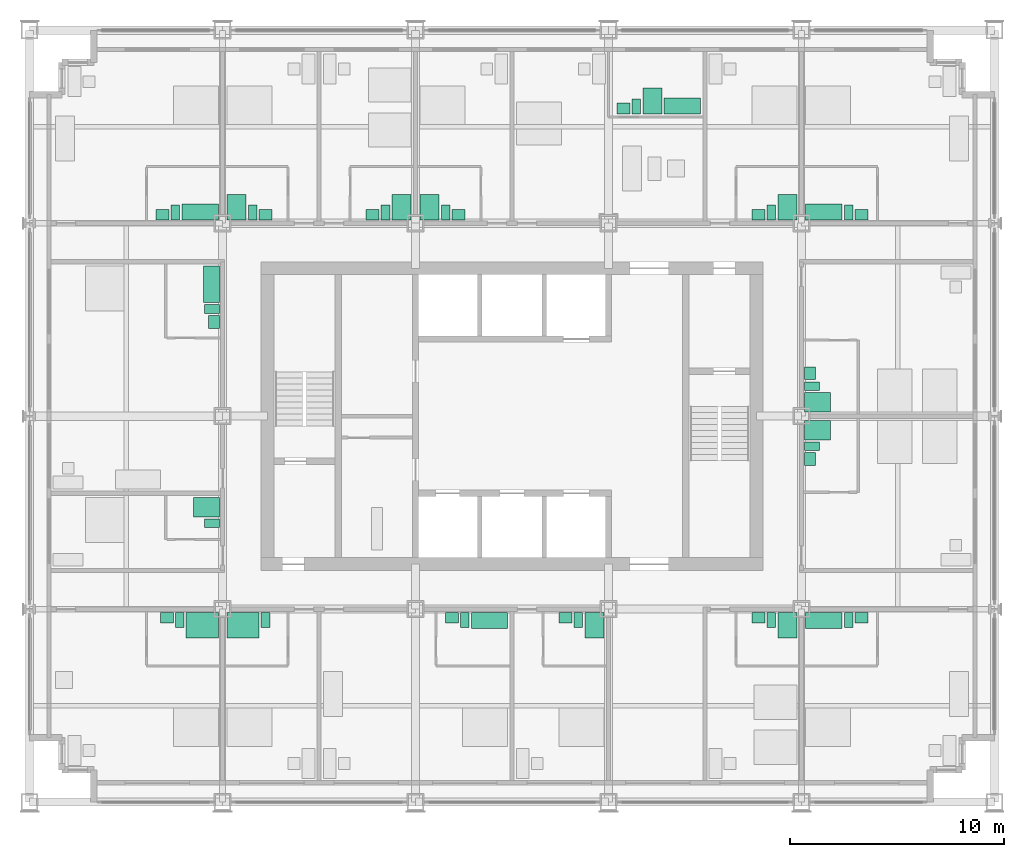
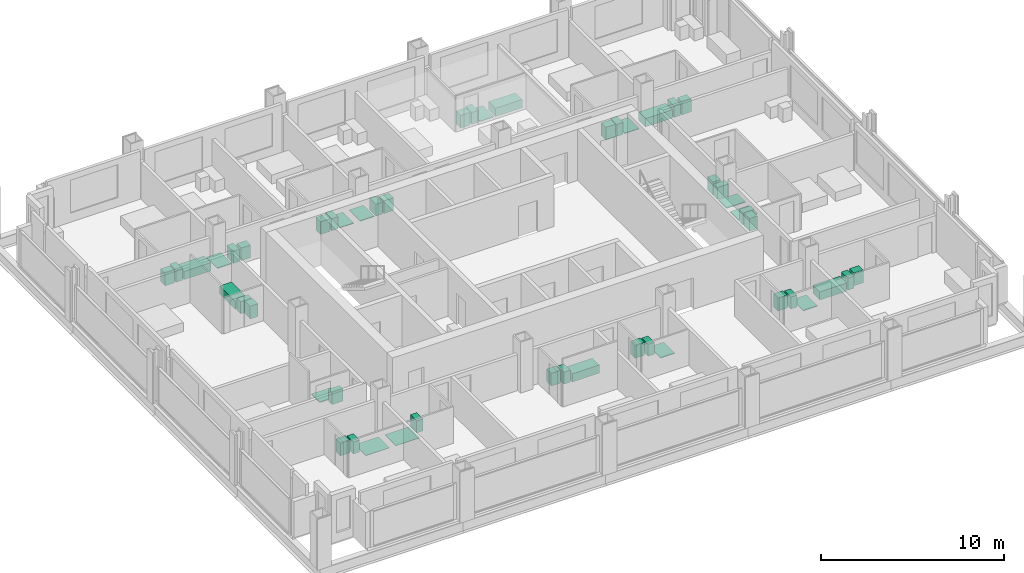
# One storey, part 15 of 16: 50 sanitary terminals.
"""IFC4 building model written with IfcOpenShell, lengths in metres."""

import ifcopenshell
import ifcopenshell.guid

model = None  # the IFC model being written
_history = None  # IfcOwnerHistory: only IFC2X3 demands one
_inside = {}  # id of a spatial element -> (the spatial element, [elements in it])
_under = {}  # id of a project, library or spatial element -> (it, [spatial elements below it])
_declared = {}  # id of a project -> (the project, [libraries it declares])
_typed = {}  # id of a type object -> (the type object, [elements of that type])
_made_of = {}  # id of a material, layer set ... -> (it, [elements and type objects made of it])


def new_model(schema):
    """Start an empty IFC model of exactly this schema.

    Asked for "IFC4X3", IfcOpenShell would pick the latest addendum, in which some entities
    have other attributes; the version numbers below select the first issue.
    IFC2X3 requires an IfcOwnerHistory on every rooted entity: one is made here for all.
    """
    global model, _history
    if schema == "IFC4X3":
        model = ifcopenshell.file(schema_version=(4, 3, 0, 0))
    else:
        model = ifcopenshell.file(schema=schema)
    _inside.clear()
    _under.clear()
    _declared.clear()
    _typed.clear()
    _made_of.clear()
    _history = None
    if model.schema == "IFC2X3":
        org = make("IfcOrganization", Name="unknown")
        user = make(
            "IfcPersonAndOrganization",
            ThePerson=make("IfcPerson", FamilyName="unknown"),
            TheOrganization=org,
        )
        app = make(
            "IfcApplication",
            ApplicationDeveloper=org,
            Version="unknown",
            ApplicationFullName="unknown",
            ApplicationIdentifier="unknown",
        )
        _history = make(
            "IfcOwnerHistory",
            OwningUser=user,
            OwningApplication=app,
            ChangeAction="ADDED",
            CreationDate=0,
        )
    return model


def make(cls, **values):
    """One entity of the class cls with the attributes given. An attribute that is None is left unset."""
    return model.create_entity(
        cls, **{name: value for name, value in values.items() if value is not None}
    )


def rooted(cls, **values):
    """An entity with a GlobalId (a new one), such as an element, a storey or a relation."""
    return make(cls, GlobalId=ifcopenshell.guid.new(), OwnerHistory=_history, **values)


def si_unit(unit_type, name, prefix=None):
    """IfcSIUnit, for example si_unit("LENGTHUNIT", "METRE", prefix="MILLI")."""
    return make("IfcSIUnit", UnitType=unit_type, Prefix=prefix, Name=name)


def assignment(units):
    """IfcUnitAssignment: the units of a project."""
    return None if units is None else make("IfcUnitAssignment", Units=units)


def point(xyz):
    """IfcCartesianPoint."""
    return None if xyz is None else make("IfcCartesianPoint", Coordinates=xyz)


def direction(xyz):
    """IfcDirection."""
    return None if xyz is None else make("IfcDirection", DirectionRatios=xyz)


def frame(location, z_axis=None, x_axis=None):
    """IfcAxis2Placement3D, a coordinate frame: its origin and axes. An axis left out is left unset."""
    return make(
        "IfcAxis2Placement3D",
        Location=point(location),
        Axis=direction(z_axis),
        RefDirection=direction(x_axis),
    )


def frame_2d(location, x_axis=None):
    """IfcAxis2Placement2D, a coordinate frame in the plane: its origin and x axis."""
    return make(
        "IfcAxis2Placement2D", Location=point(location), RefDirection=direction(x_axis)
    )


def origin():
    """The frame at (0, 0, 0) with its axes left unset."""
    return frame((0.0, 0.0, 0.0))


def origin_2d():
    """The frame at (0, 0) in the plane with its x axis left unset."""
    return frame_2d((0.0, 0.0))


def place(relative_to, where):
    """IfcLocalPlacement: puts the frame where relative to a parent placement (None: the world)."""
    return make(
        "IfcLocalPlacement", PlacementRelTo=relative_to, RelativePlacement=where
    )


def context(
    kind, dimensions, precision=None, world=None, true_north=None, identifier=None
):
    """IfcGeometricRepresentationContext, for example the 3D "Model" context."""
    return make(
        "IfcGeometricRepresentationContext",
        ContextIdentifier=identifier,
        ContextType=kind,
        CoordinateSpaceDimension=dimensions,
        Precision=precision,
        WorldCoordinateSystem=world,
        TrueNorth=true_north,
    )


def subcontext(parent, identifier, kind, view, scale=None):
    """IfcGeometricRepresentationSubContext, for example "Body" below "Model"."""
    return make(
        "IfcGeometricRepresentationSubContext",
        ContextIdentifier=identifier,
        ContextType=kind,
        ParentContext=parent,
        TargetScale=scale,
        TargetView=view,
    )


def project(units=None, contexts=None):
    """IfcProject with its units and contexts."""
    return rooted(
        "IfcProject",
        Name="project",
        RepresentationContexts=contexts,
        UnitsInContext=assignment(units),
    )


def spatial(cls, under=None, at=None, **own):
    """A site, building, storey or space (cls), placed at a placement, below another one or the project."""
    s = rooted(cls, ObjectPlacement=at, **own)
    if under is not None:
        _under.setdefault(under.id(), (under, []))[1].append(s)
    return s


def profile(cls, at=None, kind="AREA", **sizes):
    """A parametric profile (cls). Its sizes go by their IFC names, for example OverallWidth=200.0."""
    return make(cls, ProfileType=kind, Position=at, **sizes)


def rectangle(**sizes):
    """IfcRectangleProfileDef."""
    return profile("IfcRectangleProfileDef", **sizes)


def extrude(swept, where, along, depth):
    """IfcExtrudedAreaSolid: the profile swept, set in the frame where, extruded along a direction by depth."""
    return make(
        "IfcExtrudedAreaSolid",
        SweptArea=swept,
        Position=where,
        ExtrudedDirection=direction(along),
        Depth=depth,
    )


def shape(context_of_items, identifier, shape_type, items):
    """IfcShapeRepresentation: the items that make up one representation, for example the "Body"."""
    return make(
        "IfcShapeRepresentation",
        ContextOfItems=context_of_items,
        RepresentationIdentifier=identifier,
        RepresentationType=shape_type,
        Items=items,
    )


def made_of(thing, what):
    """Note that an element or type object is made of a material, layer set ...; save() writes the relation."""
    if what is not None:
        _made_of.setdefault(what.id(), (what, []))[1].append(thing)
    return thing


def element(
    cls,
    number,
    at=None,
    inside=None,
    cuts=None,
    type_object=None,
    material=None,
    context=None,
    identifier="Body",
    shape_type=None,
    held_by="IfcProductDefinitionShape",
    body=None,
    shapes=None,
    **own,
):
    """One element of the class cls, such as IfcWall. Its Tag is "e" and its number.

    at: its placement. inside: the storey or other place that contains it. cuts: it is an
    opening in that element (IfcRelVoidsElement). A single representation is given by context,
    identifier, shape_type and body (its items); several are given by shapes. held_by: the class
    of the entity that holds the representations. save() writes the other relations.
    """
    e = rooted(cls, Tag="e%d" % number, ObjectPlacement=at, **own)
    if body is not None:
        shapes = [shape(context, identifier, shape_type, body)]
    if shapes is not None:
        e.Representation = make(held_by, Representations=shapes)
    if inside is not None:
        _inside.setdefault(inside.id(), (inside, []))[1].append(e)
    if cuts is not None:
        rooted(
            "IfcRelVoidsElement", RelatingBuildingElement=cuts, RelatedOpeningElement=e
        )
    if type_object is not None:
        _typed.setdefault(type_object.id(), (type_object, []))[1].append(e)
    return made_of(e, material)


def aggregate(whole, parts):
    """IfcRelAggregates: a whole, such as a stair, and the parts it consists of."""
    return rooted("IfcRelAggregates", RelatingObject=whole, RelatedObjects=parts)


def save(model, path):
    """Write the relations noted so far, then the file.

    IfcRelAggregates (storeys below a building ...), IfcRelContainedInSpatialStructure (elements
    in a storey), IfcRelDefinesByType, IfcRelAssociatesMaterial and IfcRelDeclares: one each for
    every whole, place, type object, material and project.
    """
    for whole, parts in _under.values():
        aggregate(whole, parts)
    for where, things in _inside.values():
        rooted(
            "IfcRelContainedInSpatialStructure",
            RelatedElements=things,
            RelatingStructure=where,
        )
    for kind, things in _typed.values():
        rooted("IfcRelDefinesByType", RelatedObjects=things, RelatingType=kind)
    for what, things in _made_of.values():
        rooted("IfcRelAssociatesMaterial", RelatedObjects=things, RelatingMaterial=what)
    for by, libraries in _declared.values():
        rooted("IfcRelDeclares", RelatingContext=by, RelatedDefinitions=libraries)
    model.write(path)


model = new_model("IFC4")

# Units and contexts
model_context = context("Model", 3, precision=1e-05, world=origin(), true_north=direction((0.0, 1.0)))
body_context = subcontext(model_context, "Body", "Model", "MODEL_VIEW")
ifc_project = project(units=[si_unit("LENGTHUNIT", "METRE"), si_unit("AREAUNIT", "SQUARE_METRE"), si_unit("VOLUMEUNIT", "CUBIC_METRE"), si_unit("PLANEANGLEUNIT", "RADIAN"), si_unit("MASSUNIT", "GRAM", prefix="KILO")], contexts=[model_context])

# Site, building, storey
site_placement = place(None, origin())
site = spatial("IfcSite", under=ifc_project, at=site_placement, CompositionType="ELEMENT")
building_placement = place(site_placement, origin())
building = spatial("IfcBuilding", under=site, at=building_placement, Name="Loomwork Tower", CompositionType="ELEMENT")
storey_placement = place(building_placement, frame((0.0, 0.0, 101.0)))
storey = spatial("IfcBuildingStorey", under=building, at=storey_placement, Name="L26", CompositionType="ELEMENT", Elevation=101.0)

# Sanitary terminals
sanitary_terminal_1_placement = place(storey_placement, frame((8.050048828125, 8.25, 0.0), z_axis=(0.0, 0.0, 1.0), x_axis=(1.0, 0.0, 0.0)))
element("IfcSanitaryTerminal", 1, at=sanitary_terminal_1_placement, inside=storey, Name="Roll-in shower floor L26", PredefinedType="SHOWER", context=body_context, shape_type="SweptSolid", body=[
    extrude(rectangle(XDim=1.5, YDim=1.199951171875, at=origin_2d()), origin(), (0.0, 0.0, 1.0), 0.030029296875),
])
sanitary_terminal_2_placement = place(storey_placement, frame((7.0, 8.5, 0.0), z_axis=(0.0, 0.0, 1.0), x_axis=(1.0, 0.0, 0.0)))
element("IfcSanitaryTerminal", 2, at=sanitary_terminal_2_placement, inside=storey, Name="WC L26", PredefinedType="TOILETPAN", context=body_context, shape_type="SweptSolid", body=[
    extrude(rectangle(XDim=0.39990234375, YDim=0.699951171875, at=origin_2d()), origin(), (0.0, 0.0, 1.0), 0.800048828125),
])
sanitary_terminal_3_placement = place(storey_placement, frame((6.39990234375, 8.60009765625, 0.0), z_axis=(0.0, 0.0, 1.0), x_axis=(1.0, 0.0, 0.0)))
element("IfcSanitaryTerminal", 3, at=sanitary_terminal_3_placement, inside=storey, Name="Basin vanity L26", PredefinedType="WASHHANDBASIN", context=body_context, shape_type="SweptSolid", body=[
    extrude(rectangle(XDim=0.60009765625, YDim=0.5, at=origin_2d()), origin(), (0.0, 0.0, 1.0), 0.85009765625),
])
sanitary_terminal_4_placement = place(storey_placement, frame((9.949951171875, 8.25, 0.0), z_axis=(0.0, 0.0, 1.0), x_axis=(1.0, 0.0, 0.0)))
element("IfcSanitaryTerminal", 4, at=sanitary_terminal_4_placement, inside=storey, Name="Roll-in shower floor L26", PredefinedType="SHOWER", context=body_context, shape_type="SweptSolid", body=[
    extrude(rectangle(XDim=1.5, YDim=1.199951171875, at=origin_2d()), origin(), (0.0, 0.0, 1.0), 0.030029296875),
])
sanitary_terminal_5_placement = place(storey_placement, frame((11.0, 8.5, 0.0), z_axis=(0.0, 0.0, 1.0), x_axis=(1.0, 0.0, 0.0)))
element("IfcSanitaryTerminal", 5, at=sanitary_terminal_5_placement, inside=storey, Name="WC L26", PredefinedType="TOILETPAN", context=body_context, shape_type="SweptSolid", body=[
    extrude(rectangle(XDim=0.39990234375, YDim=0.699951171875, at=origin_2d()), origin(), (0.0, 0.0, 1.0), 0.800048828125),
])
sanitary_terminal_6_placement = place(storey_placement, frame((21.449951171875, 8.47509765625, 0.0), z_axis=(0.0, 0.0, 1.0), x_axis=(1.0, 0.0, 0.0)))
element("IfcSanitaryTerminal", 6, at=sanitary_terminal_6_placement, inside=storey, Name="Bath L26", PredefinedType="BATH", context=body_context, shape_type="SweptSolid", body=[
    extrude(rectangle(XDim=1.699951171875, YDim=0.75, at=origin_2d()), origin(), (0.0, 0.0, 1.0), 0.550048828125),
])
sanitary_terminal_7_placement = place(storey_placement, frame((20.300048828125, 8.5, 0.0), z_axis=(0.0, 0.0, 1.0), x_axis=(1.0, 0.0, 0.0)))
element("IfcSanitaryTerminal", 7, at=sanitary_terminal_7_placement, inside=storey, Name="WC L26", PredefinedType="TOILETPAN", context=body_context, shape_type="SweptSolid", body=[
    extrude(rectangle(XDim=0.39990234375, YDim=0.699951171875, at=origin_2d()), origin(), (0.0, 0.0, 1.0), 0.800048828125),
])
sanitary_terminal_8_placement = place(storey_placement, frame((19.699951171875, 8.60009765625, 0.0), z_axis=(0.0, 0.0, 1.0), x_axis=(1.0, 0.0, 0.0)))
element("IfcSanitaryTerminal", 8, at=sanitary_terminal_8_placement, inside=storey, Name="Basin vanity L26", PredefinedType="WASHHANDBASIN", context=body_context, shape_type="SweptSolid", body=[
    extrude(rectangle(XDim=0.60009765625, YDim=0.5, at=origin_2d()), origin(), (0.0, 0.0, 1.0), 0.85009765625),
])
sanitary_terminal_9_placement = place(storey_placement, frame((26.35009765625, 8.25, 0.0), z_axis=(0.0, 0.0, 1.0), x_axis=(1.0, 0.0, 0.0)))
element("IfcSanitaryTerminal", 9, at=sanitary_terminal_9_placement, inside=storey, Name="Shower tray L26", PredefinedType="SHOWER", context=body_context, shape_type="SweptSolid", body=[
    extrude(rectangle(XDim=0.89990234375, YDim=1.199951171875, at=origin_2d()), origin(), (0.0, 0.0, 1.0), 0.050048828125),
])
sanitary_terminal_10_placement = place(storey_placement, frame((25.60009765625, 8.5, 0.0), z_axis=(0.0, 0.0, 1.0), x_axis=(1.0, 0.0, 0.0)))
element("IfcSanitaryTerminal", 10, at=sanitary_terminal_10_placement, inside=storey, Name="WC L26", PredefinedType="TOILETPAN", context=body_context, shape_type="SweptSolid", body=[
    extrude(rectangle(XDim=0.39990234375, YDim=0.699951171875, at=origin_2d()), origin(), (0.0, 0.0, 1.0), 0.800048828125),
])
sanitary_terminal_11_placement = place(storey_placement, frame((25.0, 8.60009765625, 0.0), z_axis=(0.0, 0.0, 1.0), x_axis=(1.0, 0.0, 0.0)))
element("IfcSanitaryTerminal", 11, at=sanitary_terminal_11_placement, inside=storey, Name="Basin vanity L26", PredefinedType="WASHHANDBASIN", context=body_context, shape_type="SweptSolid", body=[
    extrude(rectangle(XDim=0.60009765625, YDim=0.5, at=origin_2d()), origin(), (0.0, 0.0, 1.0), 0.85009765625),
])
sanitary_terminal_12_placement = place(storey_placement, frame((35.35009765625, 8.25, 0.0), z_axis=(0.0, 0.0, 1.0), x_axis=(1.0, 0.0, 0.0)))
element("IfcSanitaryTerminal", 12, at=sanitary_terminal_12_placement, inside=storey, Name="Shower tray L26", PredefinedType="SHOWER", context=body_context, shape_type="SweptSolid", body=[
    extrude(rectangle(XDim=0.89990234375, YDim=1.199951171875, at=origin_2d()), origin(), (0.0, 0.0, 1.0), 0.050048828125),
])
sanitary_terminal_13_placement = place(storey_placement, frame((34.60009765625, 8.5, 0.0), z_axis=(0.0, 0.0, 1.0), x_axis=(1.0, 0.0, 0.0)))
element("IfcSanitaryTerminal", 13, at=sanitary_terminal_13_placement, inside=storey, Name="WC L26", PredefinedType="TOILETPAN", context=body_context, shape_type="SweptSolid", body=[
    extrude(rectangle(XDim=0.39990234375, YDim=0.699951171875, at=origin_2d()), origin(), (0.0, 0.0, 1.0), 0.800048828125),
])
sanitary_terminal_14_placement = place(storey_placement, frame((34.0, 8.60009765625, 0.0), z_axis=(0.0, 0.0, 1.0), x_axis=(1.0, 0.0, 0.0)))
element("IfcSanitaryTerminal", 14, at=sanitary_terminal_14_placement, inside=storey, Name="Basin vanity L26", PredefinedType="WASHHANDBASIN", context=body_context, shape_type="SweptSolid", body=[
    extrude(rectangle(XDim=0.60009765625, YDim=0.5, at=origin_2d()), origin(), (0.0, 0.0, 1.0), 0.85009765625),
])
sanitary_terminal_15_placement = place(storey_placement, frame((37.050048828125, 8.47509765625, 0.0), z_axis=(0.0, 0.0, 1.0), x_axis=(1.0, 0.0, 0.0)))
element("IfcSanitaryTerminal", 15, at=sanitary_terminal_15_placement, inside=storey, Name="Bath L26", PredefinedType="BATH", context=body_context, shape_type="SweptSolid", body=[
    extrude(rectangle(XDim=1.699951171875, YDim=0.75, at=origin_2d()), origin(), (0.0, 0.0, 1.0), 0.550048828125),
])
sanitary_terminal_16_placement = place(storey_placement, frame((38.199951171875, 8.5, 0.0), z_axis=(0.0, 0.0, 1.0), x_axis=(1.0, 0.0, 0.0)))
element("IfcSanitaryTerminal", 16, at=sanitary_terminal_16_placement, inside=storey, Name="WC L26", PredefinedType="TOILETPAN", context=body_context, shape_type="SweptSolid", body=[
    extrude(rectangle(XDim=0.39990234375, YDim=0.699951171875, at=origin_2d()), origin(), (0.0, 0.0, 1.0), 0.800048828125),
])
sanitary_terminal_17_placement = place(storey_placement, frame((38.800048828125, 8.60009765625, 0.0), z_axis=(0.0, 0.0, 1.0), x_axis=(1.0, 0.0, 0.0)))
element("IfcSanitaryTerminal", 17, at=sanitary_terminal_17_placement, inside=storey, Name="Basin vanity L26", PredefinedType="WASHHANDBASIN", context=body_context, shape_type="SweptSolid", body=[
    extrude(rectangle(XDim=0.60009765625, YDim=0.5, at=origin_2d()), origin(), (0.0, 0.0, 1.0), 0.85009765625),
])
sanitary_terminal_18_placement = place(storey_placement, frame((7.949951171875, 27.52490234375, 0.0), z_axis=(0.0, 0.0, 1.0), x_axis=(1.0, 0.0, 0.0)))
element("IfcSanitaryTerminal", 18, at=sanitary_terminal_18_placement, inside=storey, Name="Bath L26", PredefinedType="BATH", context=body_context, shape_type="SweptSolid", body=[
    extrude(rectangle(XDim=1.699951171875, YDim=0.75, at=origin_2d()), origin(), (0.0, 0.0, 1.0), 0.550048828125),
])
sanitary_terminal_19_placement = place(storey_placement, frame((6.800048828125, 27.5, 0.0), z_axis=(0.0, 0.0, 1.0), x_axis=(1.0, 0.0, 0.0)))
element("IfcSanitaryTerminal", 19, at=sanitary_terminal_19_placement, inside=storey, Name="WC L26", PredefinedType="TOILETPAN", context=body_context, shape_type="SweptSolid", body=[
    extrude(rectangle(XDim=0.39990234375, YDim=0.699951171875, at=origin_2d()), origin(), (0.0, 0.0, 1.0), 0.800048828125),
])
sanitary_terminal_20_placement = place(storey_placement, frame((6.199951171875, 27.39990234375, 0.0), z_axis=(0.0, 0.0, 1.0), x_axis=(1.0, 0.0, 0.0)))
element("IfcSanitaryTerminal", 20, at=sanitary_terminal_20_placement, inside=storey, Name="Basin vanity L26", PredefinedType="WASHHANDBASIN", context=body_context, shape_type="SweptSolid", body=[
    extrude(rectangle(XDim=0.60009765625, YDim=0.5, at=origin_2d()), origin(), (0.0, 0.0, 1.0), 0.85009765625),
])
sanitary_terminal_21_placement = place(storey_placement, frame((9.64990234375, 27.75, 0.0), z_axis=(0.0, 0.0, 1.0), x_axis=(1.0, 0.0, 0.0)))
element("IfcSanitaryTerminal", 21, at=sanitary_terminal_21_placement, inside=storey, Name="Shower tray L26", PredefinedType="SHOWER", context=body_context, shape_type="SweptSolid", body=[
    extrude(rectangle(XDim=0.89990234375, YDim=1.199951171875, at=origin_2d()), origin(), (0.0, 0.0, 1.0), 0.050048828125),
])
sanitary_terminal_22_placement = place(storey_placement, frame((10.39990234375, 27.5, 0.0), z_axis=(0.0, 0.0, 1.0), x_axis=(1.0, 0.0, 0.0)))
element("IfcSanitaryTerminal", 22, at=sanitary_terminal_22_placement, inside=storey, Name="WC L26", PredefinedType="TOILETPAN", context=body_context, shape_type="SweptSolid", body=[
    extrude(rectangle(XDim=0.39990234375, YDim=0.699951171875, at=origin_2d()), origin(), (0.0, 0.0, 1.0), 0.800048828125),
])
sanitary_terminal_23_placement = place(storey_placement, frame((11.0, 27.39990234375, 0.0), z_axis=(0.0, 0.0, 1.0), x_axis=(1.0, 0.0, 0.0)))
element("IfcSanitaryTerminal", 23, at=sanitary_terminal_23_placement, inside=storey, Name="Basin vanity L26", PredefinedType="WASHHANDBASIN", context=body_context, shape_type="SweptSolid", body=[
    extrude(rectangle(XDim=0.60009765625, YDim=0.5, at=origin_2d()), origin(), (0.0, 0.0, 1.0), 0.85009765625),
])
sanitary_terminal_24_placement = place(storey_placement, frame((17.35009765625, 27.75, 0.0), z_axis=(0.0, 0.0, 1.0), x_axis=(1.0, 0.0, 0.0)))
element("IfcSanitaryTerminal", 24, at=sanitary_terminal_24_placement, inside=storey, Name="Shower tray L26", PredefinedType="SHOWER", context=body_context, shape_type="SweptSolid", body=[
    extrude(rectangle(XDim=0.89990234375, YDim=1.199951171875, at=origin_2d()), origin(), (0.0, 0.0, 1.0), 0.050048828125),
])
sanitary_terminal_25_placement = place(storey_placement, frame((16.60009765625, 27.5, 0.0), z_axis=(0.0, 0.0, 1.0), x_axis=(1.0, 0.0, 0.0)))
element("IfcSanitaryTerminal", 25, at=sanitary_terminal_25_placement, inside=storey, Name="WC L26", PredefinedType="TOILETPAN", context=body_context, shape_type="SweptSolid", body=[
    extrude(rectangle(XDim=0.39990234375, YDim=0.699951171875, at=origin_2d()), origin(), (0.0, 0.0, 1.0), 0.800048828125),
])
sanitary_terminal_26_placement = place(storey_placement, frame((16.0, 27.39990234375, 0.0), z_axis=(0.0, 0.0, 1.0), x_axis=(1.0, 0.0, 0.0)))
element("IfcSanitaryTerminal", 26, at=sanitary_terminal_26_placement, inside=storey, Name="Basin vanity L26", PredefinedType="WASHHANDBASIN", context=body_context, shape_type="SweptSolid", body=[
    extrude(rectangle(XDim=0.60009765625, YDim=0.5, at=origin_2d()), origin(), (0.0, 0.0, 1.0), 0.85009765625),
])
sanitary_terminal_27_placement = place(storey_placement, frame((18.64990234375, 27.75, 0.0), z_axis=(0.0, 0.0, 1.0), x_axis=(1.0, 0.0, 0.0)))
element("IfcSanitaryTerminal", 27, at=sanitary_terminal_27_placement, inside=storey, Name="Shower tray L26", PredefinedType="SHOWER", context=body_context, shape_type="SweptSolid", body=[
    extrude(rectangle(XDim=0.89990234375, YDim=1.199951171875, at=origin_2d()), origin(), (0.0, 0.0, 1.0), 0.050048828125),
])
sanitary_terminal_28_placement = place(storey_placement, frame((19.39990234375, 27.5, 0.0), z_axis=(0.0, 0.0, 1.0), x_axis=(1.0, 0.0, 0.0)))
element("IfcSanitaryTerminal", 28, at=sanitary_terminal_28_placement, inside=storey, Name="WC L26", PredefinedType="TOILETPAN", context=body_context, shape_type="SweptSolid", body=[
    extrude(rectangle(XDim=0.39990234375, YDim=0.699951171875, at=origin_2d()), origin(), (0.0, 0.0, 1.0), 0.800048828125),
])
sanitary_terminal_29_placement = place(storey_placement, frame((20.0, 27.39990234375, 0.0), z_axis=(0.0, 0.0, 1.0), x_axis=(1.0, 0.0, 0.0)))
element("IfcSanitaryTerminal", 29, at=sanitary_terminal_29_placement, inside=storey, Name="Basin vanity L26", PredefinedType="WASHHANDBASIN", context=body_context, shape_type="SweptSolid", body=[
    extrude(rectangle(XDim=0.60009765625, YDim=0.5, at=origin_2d()), origin(), (0.0, 0.0, 1.0), 0.85009765625),
])
sanitary_terminal_30_placement = place(storey_placement, frame((30.449951171875, 32.47509765625, 0.0), z_axis=(0.0, 0.0, 1.0), x_axis=(1.0, 0.0, 0.0)))
element("IfcSanitaryTerminal", 30, at=sanitary_terminal_30_placement, inside=storey, Name="Bath L26", PredefinedType="BATH", context=body_context, shape_type="SweptSolid", body=[
    extrude(rectangle(XDim=1.699951171875, YDim=0.75, at=origin_2d()), origin(), (0.0, 0.0, 1.0), 0.550048828125),
])
sanitary_terminal_31_placement = place(storey_placement, frame((29.050048828125, 32.699951171875, 0.0), z_axis=(0.0, 0.0, 1.0), x_axis=(1.0, 0.0, 0.0)))
element("IfcSanitaryTerminal", 31, at=sanitary_terminal_31_placement, inside=storey, Name="Shower tray L26", PredefinedType="SHOWER", context=body_context, shape_type="SweptSolid", body=[
    extrude(rectangle(XDim=0.89990234375, YDim=1.199951171875, at=origin_2d()), origin(), (0.0, 0.0, 1.0), 0.050048828125),
])
sanitary_terminal_32_placement = place(storey_placement, frame((28.300048828125, 32.449951171875, 0.0), z_axis=(0.0, 0.0, 1.0), x_axis=(1.0, 0.0, 0.0)))
element("IfcSanitaryTerminal", 32, at=sanitary_terminal_32_placement, inside=storey, Name="WC L26", PredefinedType="TOILETPAN", context=body_context, shape_type="SweptSolid", body=[
    extrude(rectangle(XDim=0.39990234375, YDim=0.699951171875, at=origin_2d()), origin(), (0.0, 0.0, 1.0), 0.800048828125),
])
sanitary_terminal_33_placement = place(storey_placement, frame((27.699951171875, 32.35009765625, 0.0), z_axis=(0.0, 0.0, 1.0), x_axis=(1.0, 0.0, 0.0)))
element("IfcSanitaryTerminal", 33, at=sanitary_terminal_33_placement, inside=storey, Name="Basin vanity L26", PredefinedType="WASHHANDBASIN", context=body_context, shape_type="SweptSolid", body=[
    extrude(rectangle(XDim=0.60009765625, YDim=0.5, at=origin_2d()), origin(), (0.0, 0.0, 1.0), 0.85009765625),
])
sanitary_terminal_34_placement = place(storey_placement, frame((35.35009765625, 27.75, 0.0), z_axis=(0.0, 0.0, 1.0), x_axis=(1.0, 0.0, 0.0)))
element("IfcSanitaryTerminal", 34, at=sanitary_terminal_34_placement, inside=storey, Name="Shower tray L26", PredefinedType="SHOWER", context=body_context, shape_type="SweptSolid", body=[
    extrude(rectangle(XDim=0.89990234375, YDim=1.199951171875, at=origin_2d()), origin(), (0.0, 0.0, 1.0), 0.050048828125),
])
sanitary_terminal_35_placement = place(storey_placement, frame((34.60009765625, 27.5, 0.0), z_axis=(0.0, 0.0, 1.0), x_axis=(1.0, 0.0, 0.0)))
element("IfcSanitaryTerminal", 35, at=sanitary_terminal_35_placement, inside=storey, Name="WC L26", PredefinedType="TOILETPAN", context=body_context, shape_type="SweptSolid", body=[
    extrude(rectangle(XDim=0.39990234375, YDim=0.699951171875, at=origin_2d()), origin(), (0.0, 0.0, 1.0), 0.800048828125),
])
sanitary_terminal_36_placement = place(storey_placement, frame((34.0, 27.39990234375, 0.0), z_axis=(0.0, 0.0, 1.0), x_axis=(1.0, 0.0, 0.0)))
element("IfcSanitaryTerminal", 36, at=sanitary_terminal_36_placement, inside=storey, Name="Basin vanity L26", PredefinedType="WASHHANDBASIN", context=body_context, shape_type="SweptSolid", body=[
    extrude(rectangle(XDim=0.60009765625, YDim=0.5, at=origin_2d()), origin(), (0.0, 0.0, 1.0), 0.85009765625),
])
sanitary_terminal_37_placement = place(storey_placement, frame((37.050048828125, 27.52490234375, 0.0), z_axis=(0.0, 0.0, 1.0), x_axis=(1.0, 0.0, 0.0)))
element("IfcSanitaryTerminal", 37, at=sanitary_terminal_37_placement, inside=storey, Name="Bath L26", PredefinedType="BATH", context=body_context, shape_type="SweptSolid", body=[
    extrude(rectangle(XDim=1.699951171875, YDim=0.75, at=origin_2d()), origin(), (0.0, 0.0, 1.0), 0.550048828125),
])
sanitary_terminal_38_placement = place(storey_placement, frame((38.199951171875, 27.5, 0.0), z_axis=(0.0, 0.0, 1.0), x_axis=(1.0, 0.0, 0.0)))
element("IfcSanitaryTerminal", 38, at=sanitary_terminal_38_placement, inside=storey, Name="WC L26", PredefinedType="TOILETPAN", context=body_context, shape_type="SweptSolid", body=[
    extrude(rectangle(XDim=0.39990234375, YDim=0.699951171875, at=origin_2d()), origin(), (0.0, 0.0, 1.0), 0.800048828125),
])
sanitary_terminal_39_placement = place(storey_placement, frame((38.800048828125, 27.39990234375, 0.0), z_axis=(0.0, 0.0, 1.0), x_axis=(1.0, 0.0, 0.0)))
element("IfcSanitaryTerminal", 39, at=sanitary_terminal_39_placement, inside=storey, Name="Basin vanity L26", PredefinedType="WASHHANDBASIN", context=body_context, shape_type="SweptSolid", body=[
    extrude(rectangle(XDim=0.60009765625, YDim=0.5, at=origin_2d()), origin(), (0.0, 0.0, 1.0), 0.85009765625),
])
sanitary_terminal_40_placement = place(storey_placement, frame((8.25, 13.75, 0.0), z_axis=(0.0, 0.0, 1.0), x_axis=(1.0, 0.0, 0.0)))
element("IfcSanitaryTerminal", 40, at=sanitary_terminal_40_placement, inside=storey, Name="Shower tray L26", PredefinedType="SHOWER", context=body_context, shape_type="SweptSolid", body=[
    extrude(rectangle(XDim=1.199951171875, YDim=0.89990234375, at=origin_2d()), origin(), (0.0, 0.0, 1.0), 0.050048828125),
])
sanitary_terminal_41_placement = place(storey_placement, frame((8.5, 13.0, 0.0), z_axis=(0.0, 0.0, 1.0), x_axis=(1.0, 0.0, 0.0)))
element("IfcSanitaryTerminal", 41, at=sanitary_terminal_41_placement, inside=storey, Name="WC L26", PredefinedType="TOILETPAN", context=body_context, shape_type="SweptSolid", body=[
    extrude(rectangle(XDim=0.699951171875, YDim=0.39990234375, at=origin_2d()), origin(), (0.0, 0.0, 1.0), 0.800048828125),
])
sanitary_terminal_42_placement = place(storey_placement, frame((8.47509765625, 24.14990234375, 0.0), z_axis=(0.0, 0.0, 1.0), x_axis=(1.0, 0.0, 0.0)))
element("IfcSanitaryTerminal", 42, at=sanitary_terminal_42_placement, inside=storey, Name="Bath L26", PredefinedType="BATH", context=body_context, shape_type="SweptSolid", body=[
    extrude(rectangle(XDim=0.75, YDim=1.699951171875, at=origin_2d()), origin(), (0.0, 0.0, 1.0), 0.550048828125),
])
sanitary_terminal_43_placement = place(storey_placement, frame((8.5, 23.0, 0.0), z_axis=(0.0, 0.0, 1.0), x_axis=(1.0, 0.0, 0.0)))
element("IfcSanitaryTerminal", 43, at=sanitary_terminal_43_placement, inside=storey, Name="WC L26", PredefinedType="TOILETPAN", context=body_context, shape_type="SweptSolid", body=[
    extrude(rectangle(XDim=0.699951171875, YDim=0.39990234375, at=origin_2d()), origin(), (0.0, 0.0, 1.0), 0.800048828125),
])
sanitary_terminal_44_placement = place(storey_placement, frame((8.60009765625, 22.39990234375, 0.0), z_axis=(0.0, 0.0, 1.0), x_axis=(1.0, 0.0, 0.0)))
element("IfcSanitaryTerminal", 44, at=sanitary_terminal_44_placement, inside=storey, Name="Basin vanity L26", PredefinedType="WASHHANDBASIN", context=body_context, shape_type="SweptSolid", body=[
    extrude(rectangle(XDim=0.5, YDim=0.60009765625, at=origin_2d()), origin(), (0.0, 0.0, 1.0), 0.85009765625),
])
sanitary_terminal_45_placement = place(storey_placement, frame((36.75, 17.35009765625, 0.0), z_axis=(0.0, 0.0, 1.0), x_axis=(1.0, 0.0, 0.0)))
element("IfcSanitaryTerminal", 45, at=sanitary_terminal_45_placement, inside=storey, Name="Shower tray L26", PredefinedType="SHOWER", context=body_context, shape_type="SweptSolid", body=[
    extrude(rectangle(XDim=1.199951171875, YDim=0.89990234375, at=origin_2d()), origin(), (0.0, 0.0, 1.0), 0.050048828125),
])
sanitary_terminal_46_placement = place(storey_placement, frame((36.5, 16.60009765625, 0.0), z_axis=(0.0, 0.0, 1.0), x_axis=(1.0, 0.0, 0.0)))
element("IfcSanitaryTerminal", 46, at=sanitary_terminal_46_placement, inside=storey, Name="WC L26", PredefinedType="TOILETPAN", context=body_context, shape_type="SweptSolid", body=[
    extrude(rectangle(XDim=0.699951171875, YDim=0.39990234375, at=origin_2d()), origin(), (0.0, 0.0, 1.0), 0.800048828125),
])
sanitary_terminal_47_placement = place(storey_placement, frame((36.39990234375, 16.0, 0.0), z_axis=(0.0, 0.0, 1.0), x_axis=(1.0, 0.0, 0.0)))
element("IfcSanitaryTerminal", 47, at=sanitary_terminal_47_placement, inside=storey, Name="Basin vanity L26", PredefinedType="WASHHANDBASIN", context=body_context, shape_type="SweptSolid", body=[
    extrude(rectangle(XDim=0.5, YDim=0.60009765625, at=origin_2d()), origin(), (0.0, 0.0, 1.0), 0.85009765625),
])
sanitary_terminal_48_placement = place(storey_placement, frame((36.75, 18.64990234375, 0.0), z_axis=(0.0, 0.0, 1.0), x_axis=(1.0, 0.0, 0.0)))
element("IfcSanitaryTerminal", 48, at=sanitary_terminal_48_placement, inside=storey, Name="Shower tray L26", PredefinedType="SHOWER", context=body_context, shape_type="SweptSolid", body=[
    extrude(rectangle(XDim=1.199951171875, YDim=0.89990234375, at=origin_2d()), origin(), (0.0, 0.0, 1.0), 0.050048828125),
])
sanitary_terminal_49_placement = place(storey_placement, frame((36.5, 19.39990234375, 0.0), z_axis=(0.0, 0.0, 1.0), x_axis=(1.0, 0.0, 0.0)))
element("IfcSanitaryTerminal", 49, at=sanitary_terminal_49_placement, inside=storey, Name="WC L26", PredefinedType="TOILETPAN", context=body_context, shape_type="SweptSolid", body=[
    extrude(rectangle(XDim=0.699951171875, YDim=0.39990234375, at=origin_2d()), origin(), (0.0, 0.0, 1.0), 0.800048828125),
])
sanitary_terminal_50_placement = place(storey_placement, frame((36.39990234375, 20.0, 0.0), z_axis=(0.0, 0.0, 1.0), x_axis=(1.0, 0.0, 0.0)))
element("IfcSanitaryTerminal", 50, at=sanitary_terminal_50_placement, inside=storey, Name="Basin vanity L26", PredefinedType="WASHHANDBASIN", context=body_context, shape_type="SweptSolid", body=[
    extrude(rectangle(XDim=0.5, YDim=0.60009765625, at=origin_2d()), origin(), (0.0, 0.0, 1.0), 0.85009765625),
])

save(model, "model.ifc")
